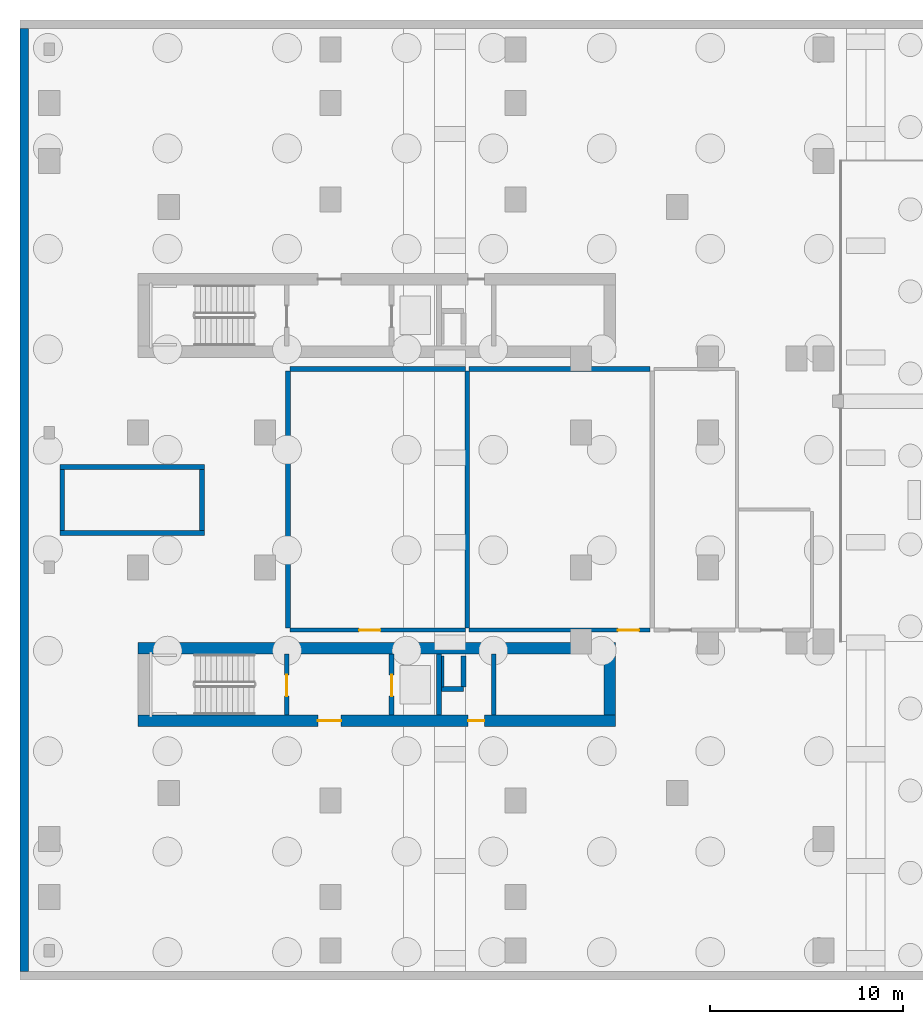
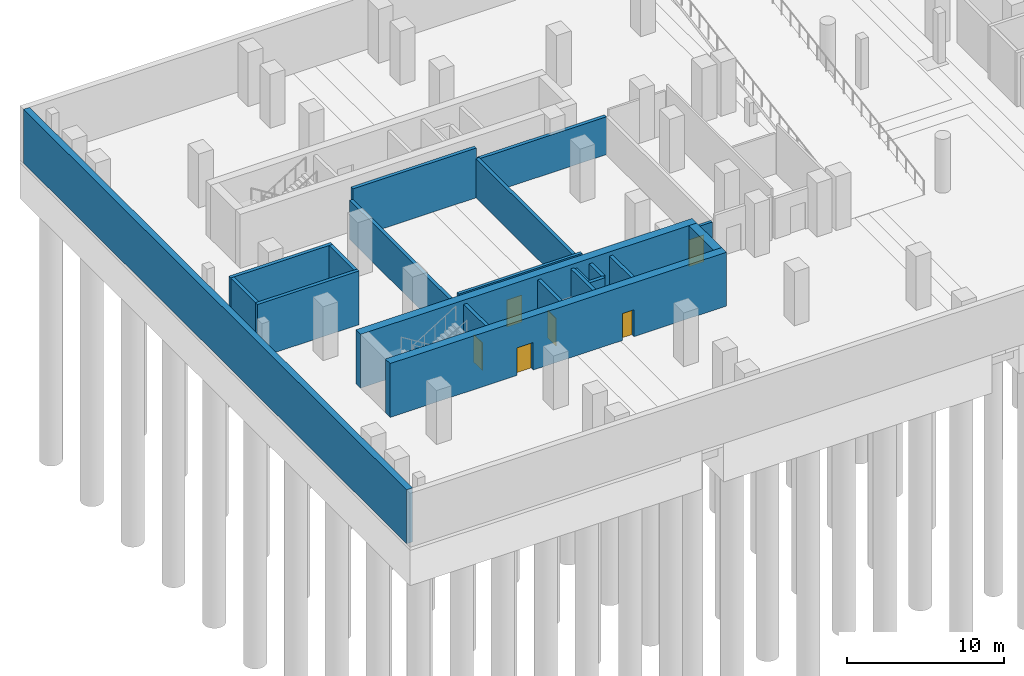
# One storey, part 4 of 14: 21 walls, 6 doors, 6 openings.
"""IFC4 building model written with IfcOpenShell, lengths in metres."""

from ifc_helpers import new_model, si_unit, derived_unit, direction, frame, frame_2d, origin, place, context, subcontext, project, spatial, rectangle, extrude, material, layer, layer_set, type_object, element, fill, save


model = new_model("IFC4")

# Units and contexts
model_context = context("Model", 3, precision=1e-05, world=origin(), true_north=direction((0.0, 1.0)))
body_context = subcontext(model_context, "Body", "Model", "MODEL_VIEW")
ifc_project = project(units=[si_unit("LENGTHUNIT", "METRE"), si_unit("AREAUNIT", "SQUARE_METRE"), si_unit("VOLUMEUNIT", "CUBIC_METRE"), si_unit("PLANEANGLEUNIT", "RADIAN"), si_unit("MASSUNIT", "GRAM", prefix="KILO"), derived_unit("THERMALTRANSMITTANCEUNIT", [(si_unit("POWERUNIT", "WATT"), 1), (si_unit("LENGTHUNIT", "METRE"), -2), (si_unit("THERMODYNAMICTEMPERATUREUNIT", "KELVIN"), -1)])], contexts=[model_context])

# Site, building, storey
site_placement = place(None, origin())
site = spatial("IfcSite", under=ifc_project, at=site_placement, CompositionType="ELEMENT")
building_placement = place(site_placement, origin())
building = spatial("IfcBuilding", under=site, at=building_placement, Name="Kivonza Crest Hotel", CompositionType="ELEMENT")
storey_placement = place(building_placement, frame((0.0, 0.0, -8.39990234375)))
storey = spatial("IfcBuildingStorey", under=building, at=storey_placement, Name="B2", CompositionType="ELEMENT", Elevation=-8.39990234375)

# Wall, opening, door
ifc_material_1 = material(Name="Autoclaved aerated concrete blockwork", Category="masonry")
ifc_layer_1 = layer(ifc_material_1, 0.219970703125)
ifc_layer_set_1 = layer_set([ifc_layer_1], Name="Autoclaved aerated concrete blockwork")
wall_type_1 = type_object("IfcWallType", Name="WL-ACOU-220", PredefinedType="SOLIDWALL", material=ifc_layer_set_1)
wall_1_placement = place(storey_placement, frame((14.10009765625, 18.25, 0.0), z_axis=(0.0, 0.0, 1.0), x_axis=(1.0, 0.0, 0.0)))
wall_1 = element("IfcWall", 1, at=wall_1_placement, inside=storey, type_object=wall_type_1, Name="B2 interior partition WA-B2-PUMP-S", PredefinedType="SOLIDWALL", context=body_context, shape_type="SweptSolid", body=[
    extrude(rectangle(XDim=9.099853515625, YDim=0.219970703125, at=frame_2d((4.5498046875, 0.0))), origin(), (0.0, 0.0, 1.0), 3.8798828125),
])
opening_1_placement = place(wall_1_placement, frame((3.590087890625, 0.0, 0.0)))
opening_1 = element("IfcOpeningElement", 2, at=opening_1_placement, cuts=wall_1, Name="Opening DF-60M", PredefinedType="OPENING", context=body_context, shape_type="SweptSolid", body=[
    extrude(rectangle(XDim=1.10009765625, YDim=2.10009765625, at=frame_2d((0.550048828125, 1.050048828125))), frame((0.0, 0.1201171875, 0.0), z_axis=(0.0, -1.0, 0.0), x_axis=(1.0, 0.0, 0.0)), (0.0, 0.0, 1.0), 0.239990234375),
])
ifc_material_2 = material(Name="Hardwood timber oak", Category="wood")
door_type_1 = type_object("IfcDoorType", Name="DR-FD60-1100", OperationType="NOTDEFINED", PredefinedType="DOOR", material=ifc_material_2)
door_1_placement = place(opening_1_placement, origin())
door_1 = element("IfcDoor", 3, at=door_1_placement, inside=storey, type_object=door_type_1, Name="B2 Potable and Fire Pump Plant Room door", OperationType="SINGLE_SWING_LEFT", OverallHeight=2.10009765625, OverallWidth=1.10009765625, PredefinedType="DOOR", context=body_context, shape_type="SweptSolid", body=[
    extrude(rectangle(XDim=1.10009765625, YDim=2.10009765625, at=frame_2d((0.550048828125, 1.050048828125))), frame((0.0, 0.02490234375, 0.0), z_axis=(0.0, -1.0, 0.0), x_axis=(1.0, 0.0, 0.0)), (0.0, 0.0, 1.0), 0.050048828125),
])
fill(opening_1, door_1)

wall_2_placement = place(storey_placement, frame((23.39990234375, 18.25, 0.0), z_axis=(0.0, 0.0, 1.0), x_axis=(1.0, 0.0, 0.0)))
wall_2 = element("IfcWall", 4, at=wall_2_placement, inside=storey, type_object=wall_type_1, Name="B2 interior partition WA-B2-GREY-S", PredefinedType="SOLIDWALL", context=body_context, shape_type="SweptSolid", body=[
    extrude(rectangle(XDim=9.400146484375, YDim=0.219970703125, at=frame_2d((4.7001953125, 0.0))), origin(), (0.0, 0.0, 1.0), 2.954833984375),
])
opening_2_placement = place(wall_2_placement, frame((7.72509765625, 0.0, 0.0)))
opening_2 = element("IfcOpeningElement", 5, at=opening_2_placement, cuts=wall_2, Name="Opening DF-60M", PredefinedType="OPENING", context=body_context, shape_type="SweptSolid", body=[
    extrude(rectangle(XDim=1.10009765625, YDim=2.10009765625, at=frame_2d((0.550048828125, 1.050048828125))), frame((0.0, 0.1201171875, 0.0), z_axis=(0.0, -1.0, 0.0), x_axis=(1.0, 0.0, 0.0)), (0.0, 0.0, 1.0), 0.239990234375),
])
door_2_placement = place(opening_2_placement, origin())
door_2 = element("IfcDoor", 6, at=door_2_placement, inside=storey, type_object=door_type_1, Name="B2 Greywater Treatment Plant Room door", OperationType="SINGLE_SWING_RIGHT", OverallHeight=2.10009765625, OverallWidth=1.10009765625, PredefinedType="DOOR", context=body_context, shape_type="SweptSolid", body=[
    extrude(rectangle(XDim=1.10009765625, YDim=2.10009765625, at=frame_2d((0.550048828125, 1.050048828125))), frame((0.0, 0.02490234375, 0.0), z_axis=(0.0, -1.0, 0.0), x_axis=(1.0, 0.0, 0.0)), (0.0, 0.0, 1.0), 0.050048828125),
])
fill(opening_2, door_2)

# Wall, openings, doors
ifc_material_3 = material(Name="Concrete C60/75", Category="concrete")
ifc_layer_2 = layer(ifc_material_3, 0.60009765625)
ifc_layer_set_2 = layer_set([ifc_layer_2], Name="Concrete C60/75")
wall_type_2 = type_object("IfcWallType", Name="WL-CORE-600", PredefinedType="SHEAR", material=ifc_layer_set_2)
wall_3_placement = place(storey_placement, frame((6.199951171875, 13.5400390625, 0.0), z_axis=(0.0, 0.0, 1.0), x_axis=(1.0, 0.0, 0.0)))
wall_3 = element("IfcWall", 7, at=wall_3_placement, inside=storey, type_object=wall_type_2, Name="Core wall T1-S South B2", PredefinedType="SHEAR", context=body_context, shape_type="SweptSolid", body=[
    extrude(rectangle(XDim=24.800048828125, YDim=0.60009765625, at=frame_2d((12.39990234375, 0.0))), origin(), (0.0, 0.0, 1.0), 4.199951171875),
])
opening_3_placement = place(wall_3_placement, frame((9.35009765625, 0.0, 0.0)))
opening_3 = element("IfcOpeningElement", 8, at=opening_3_placement, cuts=wall_3, Name="Opening DF-60", PredefinedType="OPENING", context=body_context, shape_type="SweptSolid", body=[
    extrude(rectangle(XDim=1.199951171875, YDim=2.14990234375, at=frame_2d((0.60009765625, 1.074951171875))), frame((0.0, 0.31005859375, 0.0), z_axis=(0.0, -1.0, 0.0), x_axis=(1.0, 0.0, 0.0)), (0.0, 0.0, 1.0), 0.6201171875),
])
opening_4_placement = place(wall_3_placement, frame((17.139892578125, 0.0, 0.0)))
opening_4 = element("IfcOpeningElement", 9, at=opening_4_placement, cuts=wall_3, Name="Opening DF-60R", PredefinedType="OPENING", context=body_context, shape_type="SweptSolid", body=[
    extrude(rectangle(XDim=0.85009765625, YDim=2.10009765625, at=frame_2d((0.425048828125, 1.050048828125))), frame((0.0, 0.31005859375, 0.0), z_axis=(0.0, -1.0, 0.0), x_axis=(1.0, 0.0, 0.0)), (0.0, 0.0, 1.0), 0.6201171875),
])
door_type_2 = type_object("IfcDoorType", Name="DR-FD60-1200", OperationType="NOTDEFINED", PredefinedType="DOOR", material=ifc_material_2)
door_3_placement = place(opening_3_placement, frame((1.199951171875, 0.0, 0.0), z_axis=(0.0, 0.0, 1.0), x_axis=(-1.0, 0.0, 0.0)))
door_3 = element("IfcDoor", 10, at=door_3_placement, inside=storey, type_object=door_type_2, Name="B2 T1-S firefighting lobby fire door", OperationType="SINGLE_SWING_LEFT", OverallHeight=2.14990234375, OverallWidth=1.199951171875, PredefinedType="DOOR", context=body_context, shape_type="SweptSolid", body=[
    extrude(rectangle(XDim=1.199951171875, YDim=2.14990234375, at=frame_2d((0.60009765625, 1.074951171875))), frame((0.0, 0.02490234375, 0.0), z_axis=(0.0, -1.0, 0.0), x_axis=(1.0, 0.0, 0.0)), (0.0, 0.0, 1.0), 0.050048828125),
])
fill(opening_3, door_3)
door_type_3 = type_object("IfcDoorType", Name="DR-FD60-850", OperationType="NOTDEFINED", PredefinedType="DOOR", material=ifc_material_2)
door_4_placement = place(opening_4_placement, frame((0.85009765625, 0.0, 0.0), z_axis=(0.0, 0.0, 1.0), x_axis=(-1.0, 0.0, 0.0)))
door_4 = element("IfcDoor", 11, at=door_4_placement, inside=storey, type_object=door_type_3, Name="B2 T1-S core room door", OperationType="SINGLE_SWING_RIGHT", OverallHeight=2.10009765625, OverallWidth=0.85009765625, PredefinedType="DOOR", context=body_context, shape_type="SweptSolid", body=[
    extrude(rectangle(XDim=0.85009765625, YDim=2.10009765625, at=frame_2d((0.425048828125, 1.050048828125))), frame((0.0, 0.02490234375, 0.0), z_axis=(0.0, -1.0, 0.0), x_axis=(1.0, 0.0, 0.0)), (0.0, 0.0, 1.0), 0.050048828125),
])
fill(opening_4, door_4)

# Walls
wall_4_placement = place(storey_placement, frame((6.199951171875, 17.300048828125, 0.0), z_axis=(0.0, 0.0, 1.0), x_axis=(1.0, 0.0, 0.0)))
element("IfcWall", 12, at=wall_4_placement, inside=storey, type_object=wall_type_2, Name="Core wall T1-S North B2", PredefinedType="SHEAR", context=body_context, shape_type="SweptSolid", body=[
    extrude(rectangle(XDim=24.800048828125, YDim=0.60009765625, at=frame_2d((12.39990234375, 0.0))), origin(), (0.0, 0.0, 1.0), 4.199951171875),
])
wall_5_placement = place(storey_placement, frame((30.699951171875, 13.840087890625, 0.0), z_axis=(0.0, 0.0, 1.0), x_axis=(0.0, 1.0, 0.0)))
element("IfcWall", 13, at=wall_5_placement, inside=storey, type_object=wall_type_2, Name="Core wall T1-S East B2", PredefinedType="SHEAR", context=body_context, shape_type="SweptSolid", body=[
    extrude(rectangle(XDim=3.159912109375, YDim=0.60009765625, at=frame_2d((1.580078125, 0.0))), origin(), (0.0, 0.0, 1.0), 4.199951171875),
])
ifc_material_4 = material(Name="Concrete blockwork fire-compartment wall", Category="masonry")
ifc_layer_3 = layer(ifc_material_4, 0.25)
ifc_layer_set_3 = layer_set([ifc_layer_3], Name="Concrete blockwork fire-compartment wall")
wall_type_3 = type_object("IfcWallType", Name="WL-FIRE-250", PredefinedType="SOLIDWALL", material=ifc_layer_set_3)
wall_6_placement = place(storey_placement, frame((23.10009765625, 15.280029296875, 0.0), z_axis=(0.0, 0.0, 1.0), x_axis=(0.0, 1.0, 0.0)))
element("IfcWall", 14, at=wall_6_placement, inside=storey, type_object=wall_type_3, Name="B2 interior partition WA-B2-T1-S-MEPR-E", PredefinedType="SOLIDWALL", context=body_context, shape_type="SweptSolid", body=[
    extrude(rectangle(XDim=1.619873046875, YDim=0.25, at=frame_2d((0.81005859375, 0.0))), origin(), (0.0, 0.0, 1.0), 3.8798828125),
])
wall_7_placement = place(storey_placement, frame((21.949951171875, 15.179931640625, 0.0), z_axis=(0.0, 0.0, 1.0), x_axis=(1.0, 0.0, 0.0)))
element("IfcWall", 15, at=wall_7_placement, inside=storey, type_object=wall_type_3, Name="B2 interior partition WA-B2-T1-S-MEPR-H", PredefinedType="SOLIDWALL", context=body_context, shape_type="SweptSolid", body=[
    extrude(rectangle(XDim=1.150146484375, YDim=0.25, at=frame_2d((0.5751953125, 0.0))), origin(), (0.0, 0.0, 1.0), 3.8798828125),
])
for number, where, z_axis, x_axis, name in (
    (16, (14.0, 18.35009765625, 0.0), (0.0, 0.0, 1.0), (0.0, 1.0, 0.0), "B2 interior partition WP-B2-PUMP-BW"),
    (17, (23.300048828125, 18.35009765625, 0.0), (0.0, 0.0, 1.0), (0.0, 1.0, 0.0), "B2 interior partition WP-B2-PUMP-BE"),
):
    element("IfcWall", number, at=place(storey_placement, frame(where, z_axis=z_axis, x_axis=x_axis)), inside=storey, type_object=wall_type_3, Name=name, PredefinedType="SOLIDWALL", context=body_context, shape_type="SweptSolid", body=[
        extrude(rectangle(XDim=13.349853515625, YDim=0.25, at=frame_2d((6.6748046875, 0.0))), origin(), (0.0, 0.0, 1.0), 3.054931640625),
    ])
wall_8_placement = place(storey_placement, frame((14.10009765625, 31.800048828125, 0.0), z_axis=(0.0, 0.0, 1.0), x_axis=(1.0, 0.0, 0.0)))
element("IfcWall", 18, at=wall_8_placement, inside=storey, type_object=wall_type_3, Name="B2 interior partition WP-B2-PUMP-BN", PredefinedType="SOLIDWALL", context=body_context, shape_type="SweptSolid", body=[
    extrude(rectangle(XDim=9.099853515625, YDim=0.25, at=frame_2d((4.5498046875, 0.0))), origin(), (0.0, 0.0, 1.0), 3.8798828125),
])
wall_9_placement = place(storey_placement, frame((23.39990234375, 31.800048828125, 0.0), z_axis=(0.0, 0.0, 1.0), x_axis=(1.0, 0.0, 0.0)))
element("IfcWall", 19, at=wall_9_placement, inside=storey, type_object=wall_type_3, Name="B2 interior partition WP-B2-GREY-BN", PredefinedType="SOLIDWALL", context=body_context, shape_type="SweptSolid", body=[
    extrude(rectangle(XDim=9.400146484375, YDim=0.25, at=frame_2d((4.7001953125, 0.0))), origin(), (0.0, 0.0, 1.0), 2.954833984375),
])
ifc_material_5 = material(Name="Twin-stud acoustic gypsum board partition", Category="gypsum")
ifc_layer_4 = layer(ifc_material_5, 0.14990234375)
ifc_layer_set_4 = layer_set([ifc_layer_4], Name="Twin-stud acoustic gypsum board partition")
wall_type_4 = type_object("IfcWallType", Name="WL-PART-150", PredefinedType="PARTITIONING", material=ifc_layer_set_4)
wall_10_placement = place(storey_placement, frame((22.030029296875, 15.280029296875, 0.0), z_axis=(0.0, 0.0, 1.0), x_axis=(0.0, 1.0, 0.0)))
element("IfcWall", 20, at=wall_10_placement, inside=storey, type_object=wall_type_4, Name="B2 interior partition WA-B2-T1-S-MEPR-W", PredefinedType="PARTITIONING", context=body_context, shape_type="SweptSolid", body=[
    extrude(rectangle(XDim=1.619873046875, YDim=0.14990234375, at=frame_2d((0.81005859375, 0.0))), origin(), (0.0, 0.0, 1.0), 3.8798828125),
])
ifc_material_6 = material(Name="Concrete C40/50", Category="concrete")
ifc_layer_5 = layer(ifc_material_6, 0.449951171875)
ifc_layer_set_5 = layer_set([ifc_layer_5], Name="Concrete C40/50")
wall_type_5 = type_object("IfcWallType", Name="WL-RET-450", PredefinedType="USERDEFINED", material=ifc_layer_set_5)
wall_11_placement = place(storey_placement, frame((0.304931640625, 49.469970703125, 0.0), z_axis=(0.0, 0.0, 1.0), x_axis=(0.0, -1.0, 0.0)))
element("IfcWall", 21, at=wall_11_placement, inside=storey, type_object=wall_type_5, Name="B2 West basement retaining wall", ObjectType="RETAININGWALL", PredefinedType="USERDEFINED", context=body_context, shape_type="SweptSolid", body=[
    extrude(rectangle(XDim=48.93994140625, YDim=0.449951171875, at=frame_2d((24.469970703125, 0.0))), origin(), (0.0, 0.0, 1.0), 4.199951171875),
])

# Wall, opening, door
ifc_material_7 = material(Name="Concrete C50/60", Category="concrete")
ifc_layer_6 = layer(ifc_material_7, 0.25)
ifc_layer_set_6 = layer_set([ifc_layer_6], Name="Concrete C50/60")
wall_type_6 = type_object("IfcWallType", Name="WL-SHAFT-250", PredefinedType="STANDARD", material=ifc_layer_set_6)
wall_12_placement = place(storey_placement, frame((13.925048828125, 13.840087890625, 0.0), z_axis=(0.0, 0.0, 1.0), x_axis=(0.0, 1.0, 0.0)))
wall_12 = element("IfcWall", 22, at=wall_12_placement, inside=storey, type_object=wall_type_6, Name="Core shaft wall T1-S STAIR B2", PredefinedType="STANDARD", context=body_context, shape_type="SweptSolid", body=[
    extrude(rectangle(XDim=3.159912109375, YDim=0.25, at=frame_2d((1.580078125, 0.0))), origin(), (0.0, 0.0, 1.0), 3.8798828125),
])
opening_5_placement = place(wall_12_placement, frame((0.97998046875, 0.0, 0.0)))
opening_5 = element("IfcOpeningElement", 23, at=opening_5_placement, cuts=wall_12, Name="Opening DF-120", PredefinedType="OPENING", context=body_context, shape_type="SweptSolid", body=[
    extrude(rectangle(XDim=1.10009765625, YDim=2.14990234375, at=frame_2d((0.550048828125, 1.074951171875))), frame((0.0, 0.135009765625, 0.0), z_axis=(0.0, -1.0, 0.0), x_axis=(1.0, 0.0, 0.0)), (0.0, 0.0, 1.0), 0.27001953125),
])
ifc_material_8 = material(Name="Galvanised steel", Category="steel")
door_type_4 = type_object("IfcDoorType", Name="DR-FD120-1100", OperationType="NOTDEFINED", PredefinedType="DOOR", material=ifc_material_8)
door_5_placement = place(opening_5_placement, frame((1.10009765625, 0.0, 0.0), z_axis=(0.0, 0.0, 1.0), x_axis=(-1.0, 0.0, 0.0)))
door_5 = element("IfcDoor", 24, at=door_5_placement, inside=storey, type_object=door_type_4, Name="B2 T1-S stair fire door", OperationType="SINGLE_SWING_RIGHT", OverallHeight=2.14990234375, OverallWidth=1.10009765625, PredefinedType="DOOR", context=body_context, shape_type="SweptSolid", body=[
    extrude(rectangle(XDim=1.10009765625, YDim=2.14990234375, at=frame_2d((0.550048828125, 1.074951171875))), frame((0.0, 0.02490234375, 0.0), z_axis=(0.0, -1.0, 0.0), x_axis=(1.0, 0.0, 0.0)), (0.0, 0.0, 1.0), 0.050048828125),
])
fill(opening_5, door_5)

wall_13_placement = place(storey_placement, frame((19.375, 13.840087890625, 0.0), z_axis=(0.0, 0.0, 1.0), x_axis=(0.0, 1.0, 0.0)))
wall_13 = element("IfcWall", 25, at=wall_13_placement, inside=storey, type_object=wall_type_6, Name="Core shaft wall T1-S FFL-W B2", PredefinedType="STANDARD", context=body_context, shape_type="SweptSolid", body=[
    extrude(rectangle(XDim=3.159912109375, YDim=0.25, at=frame_2d((1.580078125, 0.0))), origin(), (0.0, 0.0, 1.0), 3.8798828125),
])
opening_6_placement = place(wall_13_placement, frame((0.97998046875, 0.0, 0.0)))
opening_6 = element("IfcOpeningElement", 26, at=opening_6_placement, cuts=wall_13, Name="Opening LD-120", PredefinedType="OPENING", context=body_context, shape_type="SweptSolid", body=[
    extrude(rectangle(XDim=1.10009765625, YDim=2.14990234375, at=frame_2d((0.550048828125, 1.074951171875))), frame((0.0, 0.135009765625, 0.0), z_axis=(0.0, -1.0, 0.0), x_axis=(1.0, 0.0, 0.0)), (0.0, 0.0, 1.0), 0.27001953125),
])
ifc_material_9 = material(Name="Stainless steel", Category="steel")
door_type_5 = type_object("IfcDoorType", Name="DR-LD120-1100", OperationType="NOTDEFINED", PredefinedType="DOOR", material=ifc_material_9)
door_6_placement = place(opening_6_placement, origin())
door_6 = element("IfcDoor", 27, at=door_6_placement, inside=storey, type_object=door_type_5, Name="B2 FFL-T1-S firefighting lift sliding landing door", OperationType="DOUBLE_DOOR_SLIDING", OverallHeight=2.14990234375, OverallWidth=1.10009765625, PredefinedType="DOOR", context=body_context, shape_type="SweptSolid", body=[
    extrude(rectangle(XDim=1.10009765625, YDim=2.14990234375, at=frame_2d((0.550048828125, 1.074951171875))), frame((0.0, 0.02490234375, 0.0), z_axis=(0.0, -1.0, 0.0), x_axis=(1.0, 0.0, 0.0)), (0.0, 0.0, 1.0), 0.050048828125),
])
fill(opening_6, door_6)

# Walls
for number, where, z_axis, x_axis, name in (
    (28, (21.824951171875, 13.840087890625, 0.0), (0.0, 0.0, 1.0), (0.0, 1.0, 0.0), "Core shaft wall T1-S FFL-E B2"),
    (29, (24.675048828125, 13.840087890625, 0.0), (0.0, 0.0, 1.0), (0.0, 1.0, 0.0), "Core shaft wall T1-S BANK-W B2"),
):
    element("IfcWall", number, at=place(storey_placement, frame(where, z_axis=z_axis, x_axis=x_axis)), inside=storey, type_object=wall_type_6, Name=name, PredefinedType="STANDARD", context=body_context, shape_type="SweptSolid", body=[
        extrude(rectangle(XDim=3.159912109375, YDim=0.25, at=frame_2d((1.580078125, 0.0))), origin(), (0.0, 0.0, 1.0), 3.8798828125),
    ])
for number, where, z_axis, x_axis, name in (
    (30, (2.14990234375, 23.294921875, 0.0), (0.0, 0.0, 1.0), (1.0, 0.0, 0.0), "Podium stair enclosure wall ST-POD-W S B2"),
    (31, (2.14990234375, 26.705078125, 0.0), (0.0, 0.0, 1.0), (1.0, 0.0, 0.0), "Podium stair enclosure wall ST-POD-W N B2"),
):
    element("IfcWall", number, at=place(storey_placement, frame(where, z_axis=z_axis, x_axis=x_axis)), inside=storey, type_object=wall_type_6, Name=name, PredefinedType="STANDARD", context=body_context, shape_type="SweptSolid", body=[
        extrude(rectangle(XDim=7.5, YDim=0.25, at=frame_2d((3.75, 0.0))), origin(), (0.0, 0.0, 1.0), 4.199951171875),
    ])
for number, where, z_axis, x_axis, name in (
    (32, (2.27490234375, 23.419921875, 0.0), (0.0, 0.0, 1.0), (0.0, 1.0, 0.0), "Podium stair enclosure wall ST-POD-W W B2"),
    (33, (9.52490234375, 23.419921875, 0.0), (0.0, 0.0, 1.0), (0.0, 1.0, 0.0), "Podium stair enclosure wall ST-POD-W E B2"),
):
    element("IfcWall", number, at=place(storey_placement, frame(where, z_axis=z_axis, x_axis=x_axis)), inside=storey, type_object=wall_type_6, Name=name, PredefinedType="STANDARD", context=body_context, shape_type="SweptSolid", body=[
        extrude(rectangle(XDim=3.16015625, YDim=0.25, at=frame_2d((1.580078125, 0.0))), origin(), (0.0, 0.0, 1.0), 4.199951171875),
    ])

save(model, "model.ifc")
